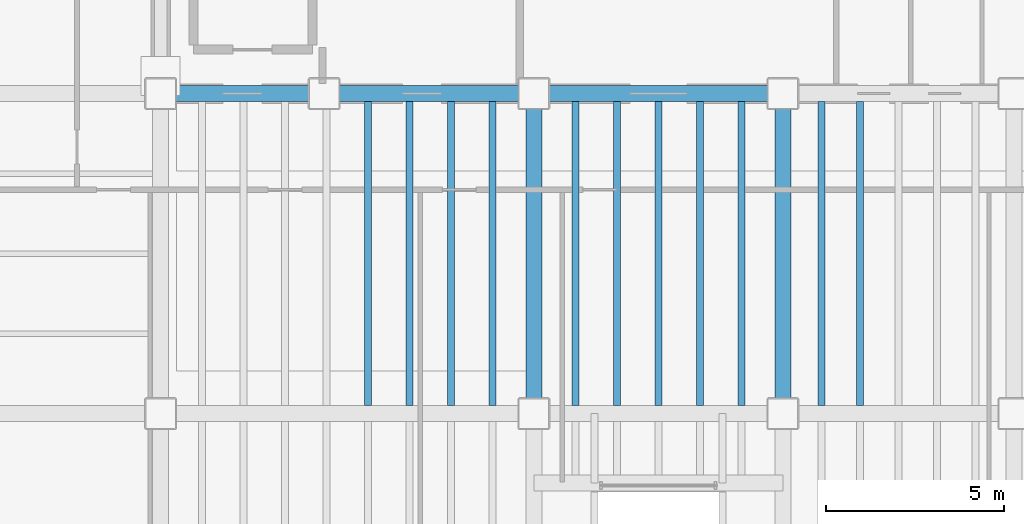
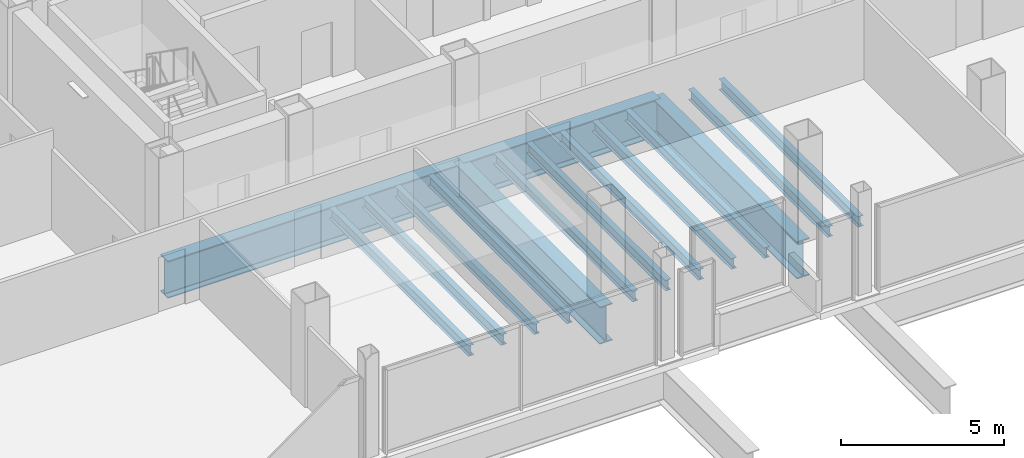
# One storey, part 7 of 24: 15 beams.
"""IFC4 building model written with IfcOpenShell, lengths in metres."""

from ifc_helpers import new_model, si_unit, direction, frame, origin, origin_2d, place, context, subcontext, project, spatial, i_section, extrude, material, material_profile, profile_set, type_object, element, save


model = new_model("IFC4")

# Units and contexts
model_context = context("Model", 3, precision=1e-05, world=origin(), true_north=direction((0.0, 1.0)))
body_context = subcontext(model_context, "Body", "Model", "MODEL_VIEW")
ifc_project = project(units=[si_unit("LENGTHUNIT", "METRE"), si_unit("AREAUNIT", "SQUARE_METRE"), si_unit("VOLUMEUNIT", "CUBIC_METRE"), si_unit("PLANEANGLEUNIT", "RADIAN"), si_unit("MASSUNIT", "GRAM", prefix="KILO")], contexts=[model_context])

# Site, building, storey
site_placement = place(None, origin())
site = spatial("IfcSite", under=ifc_project, at=site_placement, CompositionType="ELEMENT")
building_placement = place(site_placement, origin())
building = spatial("IfcBuilding", under=site, at=building_placement, Name="Noeulbin Bourse Tower", CompositionType="ELEMENT")
storey_placement = place(building_placement, frame((0.0, 0.0, 142.199951171875)))
storey = spatial("IfcBuildingStorey", under=building, at=storey_placement, Name="L35", CompositionType="ELEMENT", Elevation=142.199951171875)

# Beams
ifc_material_1 = material(Name="Steel S355", Category="steel")
ifc_material_profile_1 = material_profile(ifc_material_1, i_section(OverallWidth=0.199951171875, OverallDepth=0.39990234375, WebThickness=0.008056640625, FlangeThickness=0.012939453125, FilletRadius=0.01611328125, at=origin_2d()), Name="H-400x200x8x13", Category="LoadBearing")
ifc_profile_set_1 = profile_set([ifc_material_profile_1], Name="Steel S355")
beam_type_1 = type_object("IfcBeamType", Name="BM-SEC-400", PredefinedType="BEAM", material=ifc_profile_set_1)
for number, where, z_axis, x_axis, name in (
    (1, (19.333251953125, 20.22509765625, -0.43994140625), (0.0, 1.0, 0.0), (-1.0, 0.0, 0.0), "Tower Composite Joist L35-14"),
    (2, (20.5, 20.22509765625, -0.43994140625), (0.0, 1.0, 0.0), (-1.0, 0.0, 0.0), "Tower Composite Joist L35-17"),
    (3, (21.666748046875, 20.22509765625, -0.43994140625), (0.0, 1.0, 0.0), (-1.0, 0.0, 0.0), "Tower Composite Joist L35-20"),
    (4, (22.833251953125, 20.22509765625, -0.43994140625), (0.0, 1.0, 0.0), (-1.0, 0.0, 0.0), "Tower Composite Joist L35-23"),
    (5, (25.166748046875, 20.22509765625, -0.43994140625), (0.0, 1.0, 0.0), (-1.0, 0.0, 0.0), "Tower Composite Joist L35-26"),
    (6, (26.333251953125, 20.22509765625, -0.43994140625), (0.0, 1.0, 0.0), (-1.0, 0.0, 0.0), "Tower Composite Joist L35-29"),
    (7, (27.5, 20.22509765625, -0.43994140625), (0.0, 1.0, 0.0), (-1.0, 0.0, 0.0), "Tower Composite Joist L35-32"),
    (8, (28.666748046875, 20.22509765625, -0.43994140625), (0.0, 1.0, 0.0), (-1.0, 0.0, 0.0), "Tower Composite Joist L35-35"),
    (9, (29.833251953125, 20.22509765625, -0.43994140625), (0.0, 1.0, 0.0), (-1.0, 0.0, 0.0), "Tower Composite Joist L35-38"),
    (10, (32.083251953125, 20.22509765625, -0.43994140625), (0.0, 1.0, 0.0), (-1.0, 0.0, 0.0), "Tower Composite Joist L35-41"),
    (11, (33.166748046875, 20.22509765625, -0.43994140625), (0.0, 1.0, 0.0), (-1.0, 0.0, 0.0), "Tower Composite Joist L35-44"),
):
    element("IfcBeam", number, at=place(storey_placement, frame(where, z_axis=z_axis, x_axis=x_axis)), inside=storey, type_object=beam_type_1, Name=name, PredefinedType="BEAM", context=body_context, shape_type="SweptSolid", body=[
        extrude(i_section(OverallWidth=0.199951171875, OverallDepth=0.39990234375, WebThickness=0.008056640625, FlangeThickness=0.012939453125, FilletRadius=0.01611328125, at=origin_2d()), origin(), (0.0, 0.0, 1.0), 8.5498046875),
    ])
ifc_material_2 = material(Name="Steel S460", Category="steel")
ifc_material_profile_2 = material_profile(ifc_material_2, i_section(OverallWidth=0.449951171875, OverallDepth=1.39990234375, WebThickness=0.02392578125, FlangeThickness=0.0400390625, FilletRadius=0.02392578125, at=origin_2d()), Name="PG-1400x450x24x40", Category="LoadBearing")
ifc_profile_set_2 = profile_set([ifc_material_profile_2], Name="Steel S460")
beam_type_2 = type_object("IfcBeamType", Name="BM-TRF-1400", PredefinedType="USERDEFINED", material=ifc_profile_set_2)
beam_1_placement = place(storey_placement, frame((13.5, 29.0, -0.93994140625), z_axis=(1.0, 0.0, 0.0), x_axis=(0.0, 1.0, 0.0)))
element("IfcBeam", 12, at=beam_1_placement, inside=storey, type_object=beam_type_2, Name="Tower Primary Girder EW L35-2.2", ObjectType="GIRDER", PredefinedType="USERDEFINED", context=body_context, shape_type="SweptSolid", body=[
    extrude(i_section(OverallWidth=0.449951171875, OverallDepth=1.39990234375, WebThickness=0.02392578125, FlangeThickness=0.0400390625, FilletRadius=0.02392578125, at=origin_2d()), origin(), (0.0, 0.0, 1.0), 10.5),
])
beam_2_placement = place(storey_placement, frame((24.0, 29.0, -0.93994140625), z_axis=(1.0, 0.0, 0.0), x_axis=(0.0, 1.0, 0.0)))
element("IfcBeam", 13, at=beam_2_placement, inside=storey, type_object=beam_type_2, Name="Tower Primary Girder EW L35-2.3", ObjectType="GIRDER", PredefinedType="USERDEFINED", context=body_context, shape_type="SweptSolid", body=[
    extrude(i_section(OverallWidth=0.449951171875, OverallDepth=1.39990234375, WebThickness=0.02392578125, FlangeThickness=0.0400390625, FilletRadius=0.02392578125, at=origin_2d()), origin(), (0.0, 0.0, 1.0), 7.0),
])
for number, where, z_axis, x_axis, name in (
    (14, (24.0, 20.0, -0.93994140625), (0.0, 1.0, 0.0), (-1.0, 0.0, 0.0), "Tower Primary Girder NS L35-2.2"),
    (15, (31.0, 20.0, -0.93994140625), (0.0, 1.0, 0.0), (-1.0, 0.0, 0.0), "Tower Primary Girder NS L35-3.2"),
):
    element("IfcBeam", number, at=place(storey_placement, frame(where, z_axis=z_axis, x_axis=x_axis)), inside=storey, type_object=beam_type_2, Name=name, ObjectType="GIRDER", PredefinedType="USERDEFINED", context=body_context, shape_type="SweptSolid", body=[
        extrude(i_section(OverallWidth=0.449951171875, OverallDepth=1.39990234375, WebThickness=0.02392578125, FlangeThickness=0.0400390625, FilletRadius=0.02392578125, at=origin_2d()), origin(), (0.0, 0.0, 1.0), 9.0),
    ])

save(model, "model.ifc")
